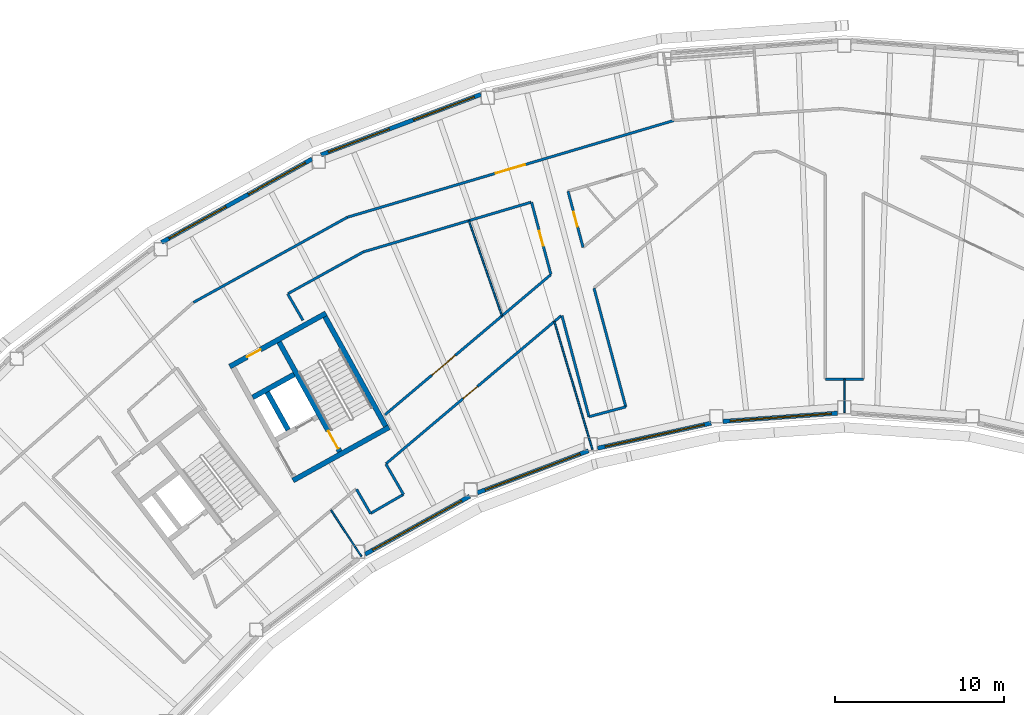
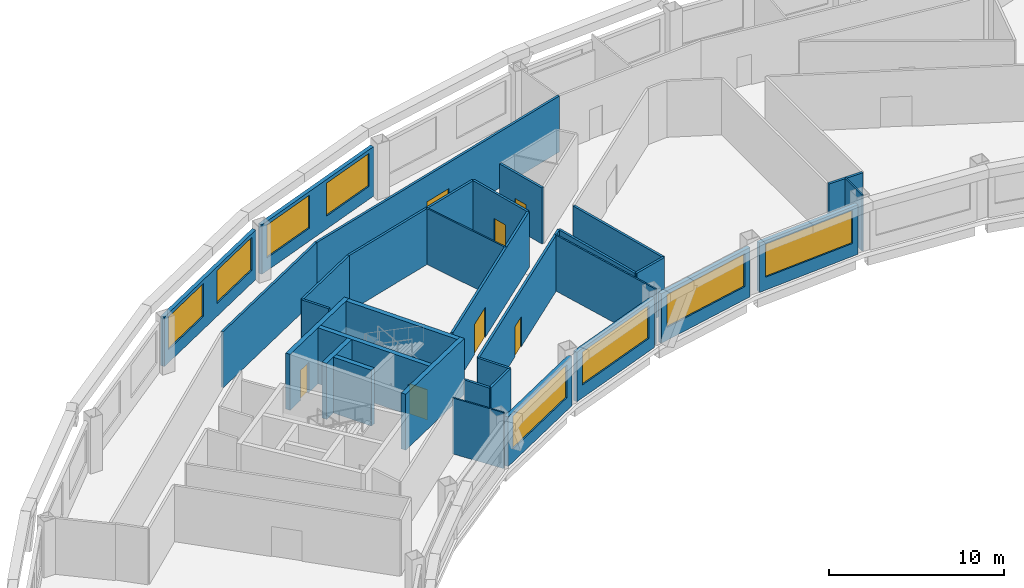
# One storey, part 6 of 13: 32 walls, 8 windows, 7 doors, 15 openings.
"""IFC4 building model written with IfcOpenShell, lengths in metres."""

from ifc_helpers import new_model, si_unit, direction, frame, frame_2d, origin, place, context, subcontext, project, spatial, rectangle, extrude, material, layer, layer_set, type_object, element, fill, save


model = new_model("IFC4")

# Units and contexts
model_context = context("Model", 3, precision=1e-05, world=origin(), true_north=direction((0.0, 1.0)))
body_context = subcontext(model_context, "Body", "Model", "MODEL_VIEW")
ifc_project = project(units=[si_unit("LENGTHUNIT", "METRE"), si_unit("AREAUNIT", "SQUARE_METRE"), si_unit("VOLUMEUNIT", "CUBIC_METRE"), si_unit("PLANEANGLEUNIT", "RADIAN"), si_unit("MASSUNIT", "GRAM", prefix="KILO")], contexts=[model_context])

# Site, building, storey
site_placement = place(None, origin())
site = spatial("IfcSite", under=ifc_project, at=site_placement, CompositionType="ELEMENT")
building_placement = place(site_placement, origin())
building = spatial("IfcBuilding", under=site, at=building_placement, Name="Tuul Gate Civic Tower", CompositionType="ELEMENT")
storey_placement = place(building_placement, frame((0.0, 0.0, 340.699951171875)))
storey = spatial("IfcBuildingStorey", under=building, at=storey_placement, Name="Level 77", CompositionType="ELEMENT", Elevation=340.699951171875)

# Walls
ifc_material_1 = material(Name="Concrete C50/60", Category="concrete")
ifc_layer_1 = layer(ifc_material_1, 0.300048828125)
ifc_layer_set_1 = layer_set([ifc_layer_1], Name="Concrete C50/60")
wall_type_1 = type_object("IfcWallType", Name="Core wall C50/60", PredefinedType="SHEAR", material=ifc_layer_set_1)
wall_1_placement = place(storey_placement, frame((-24.711669921875, -8.7158203125, 0.0), z_axis=(0.0, 0.0, 1.0), x_axis=(-0.874629909008, -0.484791215132, 0.0)))
element("IfcWall", 1, at=wall_1_placement, inside=storey, type_object=wall_type_1, Name="Core wall", PredefinedType="SHEAR", context=body_context, shape_type="SweptSolid", body=[
    extrude(rectangle(XDim=6.5, YDim=0.300048828125, at=frame_2d((3.25, 0.0))), origin(), (0.0, 0.0, 1.0), 3.900146484375),
])
wall_2_placement = place(storey_placement, frame((-30.327392578125, -5.59716796875, 0.0), z_axis=(0.0, 0.0, 1.0), x_axis=(-0.874629840737, -0.484791338301, 0.0)))
element("IfcWall", 2, at=wall_2_placement, inside=storey, type_object=wall_type_1, Name="Core wall", PredefinedType="SHEAR", context=body_context, shape_type="SweptSolid", body=[
    extrude(rectangle(XDim=2.800048828125, YDim=0.300048828125, at=frame_2d((1.39990234375, 0.0))), origin(), (0.0, 0.0, 1.0), 3.900146484375),
])

# Wall, opening, door
wall_3_placement = place(storey_placement, frame((-28.4443359375, -1.98095703125, 0.0), z_axis=(0.0, 0.0, 1.0), x_axis=(-0.874629909008, -0.484791215132, 0.0)))
wall_3 = element("IfcWall", 3, at=wall_3_placement, inside=storey, type_object=wall_type_1, Name="Core wall", PredefinedType="SHEAR", context=body_context, shape_type="SweptSolid", body=[
    extrude(rectangle(XDim=6.5, YDim=0.300048828125, at=frame_2d((3.25, 0.0))), origin(), (0.0, 0.0, 1.0), 3.900146484375),
])
opening_1_placement = place(wall_3_placement, frame((4.425048828125, 0.0, 0.0)))
opening_1 = element("IfcOpeningElement", 4, at=opening_1_placement, cuts=wall_3, Name="Opening AC-D19", PredefinedType="OPENING", context=body_context, shape_type="SweptSolid", body=[
    extrude(rectangle(XDim=0.89990234375, YDim=2.10009765625, at=frame_2d((0.449951171875, 1.050048828125))), frame((0.0, 0.16015625, 0.0), z_axis=(0.0, -1.0, 0.0), x_axis=(1.0, 0.0, 0.0)), (0.0, 0.0, 1.0), 0.320068359375),
])
ifc_material_2 = material(Name="Timber door leaf", Category="wood")
door_type_1 = type_object("IfcDoorType", Name="Door D09", OperationType="NOTDEFINED", PredefinedType="DOOR", material=ifc_material_2)
door_1_placement = place(opening_1_placement, origin())
door_1 = element("IfcDoor", 5, at=door_1_placement, inside=storey, type_object=door_type_1, Name="Door AC-D19", OperationType="SINGLE_SWING_LEFT", OverallHeight=2.10009765625, OverallWidth=0.89990234375, PredefinedType="DOOR", context=body_context, shape_type="SweptSolid", body=[
    extrude(rectangle(XDim=0.89990234375, YDim=2.10009765625, at=frame_2d((0.449951171875, 1.050048828125))), frame((0.0, 0.02490234375, 0.0), z_axis=(0.0, -1.0, 0.0), x_axis=(1.0, 0.0, 0.0)), (0.0, 0.0, 1.0), 0.050048828125),
])
fill(opening_1, door_1)

# Wall
wall_4_placement = place(storey_placement, frame((-24.91552734375, -8.6572265625, 0.0), z_axis=(0.0, 0.0, 1.0), x_axis=(-0.484777133038, 0.874637714304, 0.0)))
element("IfcWall", 6, at=wall_4_placement, inside=storey, type_object=wall_type_1, Name="Core wall", PredefinedType="SHEAR", context=body_context, shape_type="SweptSolid", body=[
    extrude(rectangle(XDim=7.400146484375, YDim=0.300048828125, at=frame_2d((3.7001953125, 0.0))), origin(), (0.0, 0.0, 1.0), 3.900146484375),
])

# Wall, opening, door
wall_5_placement = place(storey_placement, frame((-27.626953125, -10.16015625, 0.0), z_axis=(0.0, 0.0, 1.0), x_axis=(-0.484751894226, 0.874651702704, 0.0)))
wall_5 = element("IfcWall", 7, at=wall_5_placement, inside=storey, type_object=wall_type_1, Name="Core wall", PredefinedType="SHEAR", context=body_context, shape_type="SweptSolid", body=[
    extrude(rectangle(XDim=7.39990234375, YDim=0.300048828125, at=frame_2d((3.699951171875, 0.0))), origin(), (0.0, 0.0, 1.0), 3.900146484375),
])
opening_2_placement = place(wall_5_placement, frame((0.199951171875, 0.0, 0.0)))
opening_2 = element("IfcOpeningElement", 8, at=opening_2_placement, cuts=wall_5, Name="Opening SD-ST-2", PredefinedType="OPENING", context=body_context, shape_type="SweptSolid", body=[
    extrude(rectangle(XDim=1.199951171875, YDim=2.10009765625, at=frame_2d((0.60009765625, 1.050048828125))), frame((0.0, 0.16015625, 0.0), z_axis=(0.0, -1.0, 0.0), x_axis=(1.0, 0.0, 0.0)), (0.0, 0.0, 1.0), 0.320068359375),
])
ifc_material_3 = material(Name="Steel", Category="steel")
door_type_2 = type_object("IfcDoorType", Name="Stair door", OperationType="NOTDEFINED", PredefinedType="DOOR", material=ifc_material_3)
door_2_placement = place(opening_2_placement, origin())
door_2 = element("IfcDoor", 9, at=door_2_placement, inside=storey, type_object=door_type_2, Name="Stair door ST-2", OperationType="SINGLE_SWING_LEFT", OverallHeight=2.10009765625, OverallWidth=1.199951171875, PredefinedType="DOOR", context=body_context, shape_type="SweptSolid", body=[
    extrude(rectangle(XDim=1.199951171875, YDim=2.10009765625, at=frame_2d((0.60009765625, 1.050048828125))), frame((0.0, 0.02490234375, 0.0), z_axis=(0.0, -1.0, 0.0), x_axis=(1.0, 0.0, 0.0)), (0.0, 0.0, 1.0), 0.050048828125),
])
fill(opening_2, door_2)

# Wall
wall_6_placement = place(storey_placement, frame((-30.680419921875, -8.8798828125, 0.0), z_axis=(0.0, 0.0, 1.0), x_axis=(-0.484724115216, 0.874667097888, 0.0)))
element("IfcWall", 10, at=wall_6_placement, inside=storey, type_object=wall_type_1, Name="Core wall", PredefinedType="SHEAR", context=body_context, shape_type="SweptSolid", body=[
    extrude(rectangle(XDim=2.550048828125, YDim=0.300048828125, at=frame_2d((1.27490234375, 0.0))), origin(), (0.0, 0.0, 1.0), 3.900146484375),
])

# Wall, opening, door
ifc_material_4 = material(Name="Gypsum board partition")
ifc_layer_2 = layer(ifc_material_4, 0.14990234375)
ifc_layer_set_2 = layer_set([ifc_layer_2], Name="Gypsum board partition")
wall_type_2 = type_object("IfcWallType", Name="Corridor wall P150", PredefinedType="PARTITIONING", material=ifc_layer_set_2)
wall_7_placement = place(storey_placement, frame((-27.177978515625, 3.693603515625, 0.0), z_axis=(0.0, 0.0, 1.0), x_axis=(0.958781227453, 0.284145311213, 0.0)))
wall_7 = element("IfcWall", 11, at=wall_7_placement, inside=storey, type_object=wall_type_2, Name="p018", PredefinedType="PARTITIONING", context=body_context, shape_type="SweptSolid", body=[
    extrude(rectangle(XDim=20.13134765625, YDim=0.14990234375, at=frame_2d((10.065673828125, 0.0))), origin(), (0.0, 0.0, 1.0), 3.900146484375),
])
opening_3_placement = place(wall_7_placement, frame((9.140380859375, 0.0, 0.0)))
opening_3 = element("IfcOpeningElement", 12, at=opening_3_placement, cuts=wall_7, Name="Opening AC-D04", PredefinedType="OPENING", context=body_context, shape_type="SweptSolid", body=[
    extrude(rectangle(XDim=1.800048828125, YDim=2.10009765625, at=frame_2d((0.89990234375, 1.050048828125))), frame((0.0, 0.0849609375, 0.0), z_axis=(0.0, -1.0, 0.0), x_axis=(1.0, 0.0, 0.0)), (0.0, 0.0, 1.0), 0.169921875),
])
ifc_material_5 = material(Name="Timber door leaf, double", Category="wood")
door_type_3 = type_object("IfcDoorType", Name="Door D18", OperationType="DOUBLE_DOOR_SINGLE_SWING", PredefinedType="DOOR", material=ifc_material_5)
door_3_placement = place(opening_3_placement, origin())
door_3 = element("IfcDoor", 13, at=door_3_placement, inside=storey, type_object=door_type_3, Name="Door AC-D04", OperationType="DOUBLE_DOOR_SINGLE_SWING", OverallHeight=2.10009765625, OverallWidth=1.800048828125, PredefinedType="DOOR", context=body_context, shape_type="SweptSolid", body=[
    extrude(rectangle(XDim=1.800048828125, YDim=2.10009765625, at=frame_2d((0.89990234375, 1.050048828125))), frame((0.0, 0.02490234375, 0.0), z_axis=(0.0, -1.0, 0.0), x_axis=(1.0, 0.0, 0.0)), (0.0, 0.0, 1.0), 0.050048828125),
])
fill(opening_3, door_3)

# Walls
wall_8_placement = place(storey_placement, frame((-36.275146484375, -1.340576171875, 0.0), z_axis=(0.0, 0.0, 1.0), x_axis=(0.874962498596, 0.484190691826, 0.0)))
element("IfcWall", 14, at=wall_8_placement, inside=storey, type_object=wall_type_2, Name="p021", PredefinedType="PARTITIONING", context=body_context, shape_type="SweptSolid", body=[
    extrude(rectangle(XDim=10.39599609375, YDim=0.14990234375, at=frame_2d((5.197998046875, 0.0))), origin(), (0.0, 0.0, 1.0), 3.900146484375),
])
for number, where, z_axis, x_axis, name in (
    (15, (1.06689453125, -5.873779296875, 0.0), (0.0, 0.0, 1.0), (1.0, 0.0, 0.0), "p044"),
    (16, (-12.8994140625, -8.095703125, 0.0), (0.0, 0.0, 1.0), (0.965933522054, 0.25879032241, 0.0), "p046"),
):
    element("IfcWall", number, at=place(storey_placement, frame(where, z_axis=z_axis, x_axis=x_axis)), inside=storey, type_object=wall_type_2, Name=name, PredefinedType="PARTITIONING", context=body_context, shape_type="SweptSolid", body=[
        extrude(rectangle(XDim=2.25, YDim=0.14990234375, at=frame_2d((1.125, 0.0))), origin(), (0.0, 0.0, 1.0), 3.900146484375),
    ])

# Wall, opening, door
wall_9_placement = place(storey_placement, frame((-14.14013671875, 5.228515625, 0.0), z_axis=(0.0, 0.0, 1.0), x_axis=(0.258803572303, -0.96592997208, 0.0)))
wall_9 = element("IfcWall", 17, at=wall_9_placement, inside=storey, type_object=wall_type_2, Name="p047", PredefinedType="PARTITIONING", context=body_context, shape_type="SweptSolid", body=[
    extrude(rectangle(XDim=3.435546875, YDim=0.14990234375, at=frame_2d((1.7177734375, 0.0))), origin(), (0.0, 0.0, 1.0), 3.900146484375),
])
opening_4_placement = place(wall_9_placement, frame((1.267822265625, 0.0, 0.0)))
opening_4 = element("IfcOpeningElement", 18, at=opening_4_placement, cuts=wall_9, Name="Opening AC-D17", PredefinedType="OPENING", context=body_context, shape_type="SweptSolid", body=[
    extrude(rectangle(XDim=0.89990234375, YDim=2.10009765625, at=frame_2d((0.449951171875, 1.050048828125))), frame((0.0, 0.0849609375, 0.0), z_axis=(0.0, -1.0, 0.0), x_axis=(1.0, 0.0, 0.0)), (0.0, 0.0, 1.0), 0.169921875),
])
door_4_placement = place(opening_4_placement, frame((0.89990234375, 0.0, 0.0), z_axis=(0.0, 0.0, 1.0), x_axis=(-1.0, 0.0, 0.0)))
door_4 = element("IfcDoor", 19, at=door_4_placement, inside=storey, type_object=door_type_1, Name="Door AC-D17", OperationType="SINGLE_SWING_LEFT", OverallHeight=2.10009765625, OverallWidth=0.89990234375, PredefinedType="DOOR", context=body_context, shape_type="SweptSolid", body=[
    extrude(rectangle(XDim=0.89990234375, YDim=2.10009765625, at=frame_2d((0.449951171875, 1.050048828125))), frame((0.0, 0.02490234375, 0.0), z_axis=(0.0, -1.0, 0.0), x_axis=(1.0, 0.0, 0.0)), (0.0, 0.0, 1.0), 0.050048828125),
])
fill(opening_4, door_4)

# Wall
wall_10_placement = place(storey_placement, frame((-12.60400390625, -0.504150390625, 0.0), z_axis=(0.0, 0.0, 1.0), x_axis=(0.258793263352, -0.965932734119, 0.0)))
element("IfcWall", 20, at=wall_10_placement, inside=storey, type_object=wall_type_2, Name="p048", PredefinedType="PARTITIONING", context=body_context, shape_type="SweptSolid", body=[
    extrude(rectangle(XDim=7.256591796875, YDim=0.14990234375, at=frame_2d((3.62841796875, 0.0))), origin(), (0.0, 0.0, 1.0), 3.900146484375),
])

# Wall, opening, door
wall_11_placement = place(storey_placement, frame((-24.89501953125, -10.871826171875, 0.0), z_axis=(0.0, 0.0, 1.0), x_axis=(0.763910250036, 0.645322500684, 0.0)))
wall_11 = element("IfcWall", 21, at=wall_11_placement, inside=storey, type_object=wall_type_2, Name="p050", PredefinedType="PARTITIONING", context=body_context, shape_type="SweptSolid", body=[
    extrude(rectangle(XDim=13.567138671875, YDim=0.14990234375, at=frame_2d((6.78369140625, 0.0))), origin(), (0.0, 0.0, 1.0), 3.900146484375),
])
opening_5_placement = place(wall_11_placement, frame((5.960205078125, 0.0, 0.0)))
opening_5 = element("IfcOpeningElement", 22, at=opening_5_placement, cuts=wall_11, Name="Opening AC-D09", PredefinedType="OPENING", context=body_context, shape_type="SweptSolid", body=[
    extrude(rectangle(XDim=1.10009765625, YDim=2.10009765625, at=frame_2d((0.550048828125, 1.050048828125))), frame((0.0, 0.0849609375, 0.0), z_axis=(0.0, -1.0, 0.0), x_axis=(1.0, 0.0, 0.0)), (0.0, 0.0, 1.0), 0.169921875),
])
ifc_material_6 = material(Name="Timber door leaf", Category="wood")
door_type_4 = type_object("IfcDoorType", Name="Door D11", OperationType="NOTDEFINED", PredefinedType="DOOR", material=ifc_material_6)
door_5_placement = place(opening_5_placement, frame((1.10009765625, 0.0, 0.0), z_axis=(0.0, 0.0, 1.0), x_axis=(-1.0, 0.0, 0.0)))
door_5 = element("IfcDoor", 23, at=door_5_placement, inside=storey, type_object=door_type_4, Name="Door AC-D09", OperationType="SINGLE_SWING_LEFT", OverallHeight=2.10009765625, OverallWidth=1.10009765625, PredefinedType="DOOR", context=body_context, shape_type="SweptSolid", body=[
    extrude(rectangle(XDim=1.10009765625, YDim=2.10009765625, at=frame_2d((0.550048828125, 1.050048828125))), frame((0.0, 0.02490234375, 0.0), z_axis=(0.0, -1.0, 0.0), x_axis=(1.0, 0.0, 0.0)), (0.0, 0.0, 1.0), 0.050048828125),
])
fill(opening_5, door_5)

wall_12_placement = place(storey_placement, frame((-16.29296875, 4.569091796875, 0.0), z_axis=(0.0, 0.0, 1.0), x_axis=(0.258801699192, -0.965930473945, 0.0)))
wall_12 = element("IfcWall", 24, at=wall_12_placement, inside=storey, type_object=wall_type_2, Name="p054", PredefinedType="PARTITIONING", context=body_context, shape_type="SweptSolid", body=[
    extrude(rectangle(XDim=4.401611328125, YDim=0.14990234375, at=frame_2d((2.20068359375, 0.0))), origin(), (0.0, 0.0, 1.0), 3.900146484375),
])
opening_6_placement = place(wall_12_placement, frame((1.750732421875, 0.0, 0.0)))
opening_6 = element("IfcOpeningElement", 25, at=opening_6_placement, cuts=wall_12, Name="Opening AC-D15", PredefinedType="OPENING", context=body_context, shape_type="SweptSolid", body=[
    extrude(rectangle(XDim=0.89990234375, YDim=2.10009765625, at=frame_2d((0.449951171875, 1.050048828125))), frame((0.0, 0.0849609375, 0.0), z_axis=(0.0, -1.0, 0.0), x_axis=(1.0, 0.0, 0.0)), (0.0, 0.0, 1.0), 0.169921875),
])
door_6_placement = place(opening_6_placement, frame((0.89990234375, 0.0, 0.0), z_axis=(0.0, 0.0, 1.0), x_axis=(-1.0, 0.0, 0.0)))
door_6 = element("IfcDoor", 26, at=door_6_placement, inside=storey, type_object=door_type_1, Name="Door AC-D15", OperationType="SINGLE_SWING_LEFT", OverallHeight=2.10009765625, OverallWidth=0.89990234375, PredefinedType="DOOR", context=body_context, shape_type="SweptSolid", body=[
    extrude(rectangle(XDim=0.89990234375, YDim=2.10009765625, at=frame_2d((0.449951171875, 1.050048828125))), frame((0.0, 0.02490234375, 0.0), z_axis=(0.0, -1.0, 0.0), x_axis=(1.0, 0.0, 0.0)), (0.0, 0.0, 1.0), 0.050048828125),
])
fill(opening_6, door_6)

# Walls
wall_13_placement = place(storey_placement, frame((-14.498779296875, -2.126953125, 0.0), z_axis=(0.0, 0.0, 1.0), x_axis=(0.258825611946, -0.965924066685, 0.0)))
element("IfcWall", 27, at=wall_13_placement, inside=storey, type_object=wall_type_2, Name="p055", PredefinedType="PARTITIONING", context=body_context, shape_type="SweptSolid", body=[
    extrude(rectangle(XDim=6.17919921875, YDim=0.14990234375, at=frame_2d((3.089599609375, 0.0))), origin(), (0.0, 0.0, 1.0), 3.900146484375),
])
wall_14_placement = place(storey_placement, frame((-26.641845703125, -12.37890625, 0.0), z_axis=(0.0, 0.0, 1.0), x_axis=(0.49997779057, -0.866038226025, 0.0)))
element("IfcWall", 28, at=wall_14_placement, inside=storey, type_object=wall_type_2, Name="p057", PredefinedType="PARTITIONING", context=body_context, shape_type="SweptSolid", body=[
    extrude(rectangle(XDim=1.6552734375, YDim=0.14990234375, at=frame_2d((0.82763671875, 0.0))), origin(), (0.0, 0.0, 1.0), 3.900146484375),
])
wall_15_placement = place(storey_placement, frame((-25.813720703125, -13.8125, 0.0), z_axis=(0.0, 0.0, 1.0), x_axis=(0.866030125237, 0.499991822116, 0.0)))
element("IfcWall", 29, at=wall_15_placement, inside=storey, type_object=wall_type_2, Name="p058", PredefinedType="PARTITIONING", context=body_context, shape_type="SweptSolid", body=[
    extrude(rectangle(XDim=2.2490234375, YDim=0.14990234375, at=frame_2d((1.12451171875, 0.0))), origin(), (0.0, 0.0, 1.0), 3.900146484375),
])
wall_16_placement = place(storey_placement, frame((-30.699951171875, -0.85009765625, 0.0), z_axis=(0.0, 0.0, 1.0), x_axis=(0.500026652407, -0.866010015463, 0.0)))
element("IfcWall", 30, at=wall_16_placement, inside=storey, type_object=wall_type_2, Name="p059", PredefinedType="PARTITIONING", context=body_context, shape_type="SweptSolid", body=[
    extrude(rectangle(XDim=1.783203125, YDim=0.14990234375, at=frame_2d((0.8916015625, 0.0))), origin(), (0.0, 0.0, 1.0), 3.900146484375),
])
wall_17_placement = place(storey_placement, frame((-24.899169921875, -10.8974609375, 0.0), z_axis=(0.0, 0.0, 1.0), x_axis=(0.499988291006, -0.866032163869, 0.0)))
element("IfcWall", 31, at=wall_17_placement, inside=storey, type_object=wall_type_2, Name="p060", PredefinedType="PARTITIONING", context=body_context, shape_type="SweptSolid", body=[
    extrude(rectangle(XDim=2.06689453125, YDim=0.14990234375, at=frame_2d((1.033447265625, 0.0))), origin(), (0.0, 0.0, 1.0), 3.900146484375),
])
wall_18_placement = place(storey_placement, frame((-26.236572265625, 1.643310546875, 0.0), z_axis=(0.0, 0.0, 1.0), x_axis=(0.958776444815, 0.284161448594, 0.0)))
element("IfcWall", 32, at=wall_18_placement, inside=storey, type_object=wall_type_2, Name="p069", PredefinedType="PARTITIONING", context=body_context, shape_type="SweptSolid", body=[
    extrude(rectangle(XDim=10.34521484375, YDim=0.14990234375, at=frame_2d((5.172607421875, 0.0))), origin(), (0.0, 0.0, 1.0), 3.900146484375),
])

# Wall, opening, door
wall_19_placement = place(storey_placement, frame((-24.951416015625, -7.974365234375, 0.0), z_axis=(0.0, 0.0, 1.0), x_axis=(0.763902624366, 0.645331527578, 0.0)))
wall_19 = element("IfcWall", 33, at=wall_19_placement, inside=storey, type_object=wall_type_2, Name="p072", PredefinedType="PARTITIONING", context=body_context, shape_type="SweptSolid", body=[
    extrude(rectangle(XDim=12.8173828125, YDim=0.14990234375, at=frame_2d((6.40869140625, 0.0))), origin(), (0.0, 0.0, 1.0), 3.900146484375),
])
opening_7_placement = place(wall_19_placement, frame((3.623779296875, 0.0, 0.0)))
opening_7 = element("IfcOpeningElement", 34, at=opening_7_placement, cuts=wall_19, Name="Opening AC-D16", PredefinedType="OPENING", context=body_context, shape_type="SweptSolid", body=[
    extrude(rectangle(XDim=1.800048828125, YDim=2.10009765625, at=frame_2d((0.89990234375, 1.050048828125))), frame((0.0, 0.0849609375, 0.0), z_axis=(0.0, -1.0, 0.0), x_axis=(1.0, 0.0, 0.0)), (0.0, 0.0, 1.0), 0.169921875),
])
door_7_placement = place(opening_7_placement, origin())
door_7 = element("IfcDoor", 35, at=door_7_placement, inside=storey, type_object=door_type_3, Name="Door AC-D16", OperationType="DOUBLE_DOOR_SINGLE_SWING", OverallHeight=2.10009765625, OverallWidth=1.800048828125, PredefinedType="DOOR", context=body_context, shape_type="SweptSolid", body=[
    extrude(rectangle(XDim=1.800048828125, YDim=2.10009765625, at=frame_2d((0.89990234375, 1.050048828125))), frame((0.0, 0.02490234375, 0.0), z_axis=(0.0, -1.0, 0.0), x_axis=(1.0, 0.0, 0.0)), (0.0, 0.0, 1.0), 0.050048828125),
])
fill(opening_7, door_7)

# Wall
wall_20_placement = place(storey_placement, frame((-30.6923828125, -0.822509765625, 0.0), z_axis=(0.0, 0.0, 1.0), x_axis=(0.874979165869, 0.48416057181, 0.0)))
element("IfcWall", 36, at=wall_20_placement, inside=storey, type_object=wall_type_2, Name="p089", PredefinedType="PARTITIONING", context=body_context, shape_type="SweptSolid", body=[
    extrude(rectangle(XDim=5.092529296875, YDim=0.14990234375, at=frame_2d((2.54638671875, 0.0))), origin(), (0.0, 0.0, 1.0), 3.900146484375),
])

# Wall, openings, windows
ifc_material_7 = material(Name="Precast concrete C40/50", Category="concrete")
ifc_layer_3 = layer(ifc_material_7, 0.25)
ifc_layer_set_3 = layer_set([ifc_layer_3], Name="Precast concrete C40/50")
wall_type_3 = type_object("IfcWallType", Name="External wall", PredefinedType="STANDARD", material=ifc_layer_set_3)
wall_21_placement = place(storey_placement, frame((-19.284912109375, 10.95458984375, 0.0), z_axis=(0.0, 0.0, 1.0), x_axis=(-0.93534700963, -0.353731496444, 0.0)))
wall_21 = element("IfcWall", 37, at=wall_21_placement, inside=storey, type_object=wall_type_3, Name="External wall", PredefinedType="STANDARD", context=body_context, shape_type="SweptSolid", body=[
    extrude(rectangle(XDim=10.099609375, YDim=0.25, at=frame_2d((5.0498046875, 0.0))), origin(), (0.0, 0.0, 1.0), 3.449951171875),
])
opening_8_placement = place(wall_21_placement, frame((0.422607421875, 0.0, 0.89990234375)))
opening_8 = element("IfcOpeningElement", 38, at=opening_8_placement, cuts=wall_21, Name="Opening W22", PredefinedType="OPENING", context=body_context, shape_type="SweptSolid", body=[
    extrude(rectangle(XDim=3.85009765625, YDim=2.300048828125, at=frame_2d((1.925048828125, 1.14990234375))), frame((0.0, 0.135009765625, 0.0), z_axis=(0.0, -1.0, 0.0), x_axis=(1.0, 0.0, 0.0)), (0.0, 0.0, 1.0), 0.27001953125),
])
opening_9_placement = place(wall_21_placement, frame((5.7939453125, 0.0, 0.89990234375)))
opening_9 = element("IfcOpeningElement", 39, at=opening_9_placement, cuts=wall_21, Name="Opening W22", PredefinedType="OPENING", context=body_context, shape_type="SweptSolid", body=[
    extrude(rectangle(XDim=3.85009765625, YDim=2.300048828125, at=frame_2d((1.925048828125, 1.14990234375))), frame((0.0, 0.135009765625, 0.0), z_axis=(0.0, -1.0, 0.0), x_axis=(1.0, 0.0, 0.0)), (0.0, 0.0, 1.0), 0.27001953125),
])
ifc_material_8 = material(Name="Glass", Category="glass")
window_type_1 = type_object("IfcWindowType", Name="Window W22 3850 x 2300", PartitioningType="SINGLE_PANEL", PredefinedType="WINDOW", material=ifc_material_8)
window_1_placement = place(opening_8_placement, origin())
window_1 = element("IfcWindow", 40, at=window_1_placement, inside=storey, type_object=window_type_1, Name="Window", OverallHeight=2.300048828125, OverallWidth=3.85009765625, PartitioningType="SINGLE_PANEL", PredefinedType="WINDOW", context=body_context, shape_type="SweptSolid", body=[
    extrude(rectangle(XDim=3.85009765625, YDim=2.300048828125, at=frame_2d((1.925048828125, 1.14990234375))), frame((0.0, 0.030029296875, 0.0), z_axis=(0.0, -1.0, 0.0), x_axis=(1.0, 0.0, 0.0)), (0.0, 0.0, 1.0), 0.06005859375),
])
fill(opening_8, window_1)
window_2_placement = place(opening_9_placement, origin())
window_2 = element("IfcWindow", 41, at=window_2_placement, inside=storey, type_object=window_type_1, Name="Window", OverallHeight=2.300048828125, OverallWidth=3.85009765625, PartitioningType="SINGLE_PANEL", PredefinedType="WINDOW", context=body_context, shape_type="SweptSolid", body=[
    extrude(rectangle(XDim=3.85009765625, YDim=2.300048828125, at=frame_2d((1.925048828125, 1.14990234375))), frame((0.0, 0.030029296875, 0.0), z_axis=(0.0, -1.0, 0.0), x_axis=(1.0, 0.0, 0.0)), (0.0, 0.0, 1.0), 0.06005859375),
])
fill(opening_9, window_2)

wall_22_placement = place(storey_placement, frame((-29.27197265625, 7.131103515625, 0.0), z_axis=(0.0, 0.0, 1.0), x_axis=(-0.87463511472, -0.484781823193, 0.0)))
wall_22 = element("IfcWall", 42, at=wall_22_placement, inside=storey, type_object=wall_type_3, Name="External wall", PredefinedType="STANDARD", context=body_context, shape_type="SweptSolid", body=[
    extrude(rectangle(XDim=10.161376953125, YDim=0.25, at=frame_2d((5.08056640625, 0.0))), origin(), (0.0, 0.0, 1.0), 3.449951171875),
])
opening_10_placement = place(wall_22_placement, frame((0.4501953125, 0.0, 0.89990234375)))
opening_10 = element("IfcOpeningElement", 43, at=opening_10_placement, cuts=wall_22, Name="Opening W22", PredefinedType="OPENING", context=body_context, shape_type="SweptSolid", body=[
    extrude(rectangle(XDim=3.85009765625, YDim=2.300048828125, at=frame_2d((1.925048828125, 1.14990234375))), frame((0.0, 0.135009765625, 0.0), z_axis=(0.0, -1.0, 0.0), x_axis=(1.0, 0.0, 0.0)), (0.0, 0.0, 1.0), 0.27001953125),
])
opening_11_placement = place(wall_22_placement, frame((5.821533203125, 0.0, 0.89990234375)))
opening_11 = element("IfcOpeningElement", 44, at=opening_11_placement, cuts=wall_22, Name="Opening W22", PredefinedType="OPENING", context=body_context, shape_type="SweptSolid", body=[
    extrude(rectangle(XDim=3.85009765625, YDim=2.300048828125, at=frame_2d((1.925048828125, 1.14990234375))), frame((0.0, 0.135009765625, 0.0), z_axis=(0.0, -1.0, 0.0), x_axis=(1.0, 0.0, 0.0)), (0.0, 0.0, 1.0), 0.27001953125),
])
window_3_placement = place(opening_10_placement, origin())
window_3 = element("IfcWindow", 45, at=window_3_placement, inside=storey, type_object=window_type_1, Name="Window", OverallHeight=2.300048828125, OverallWidth=3.85009765625, PartitioningType="SINGLE_PANEL", PredefinedType="WINDOW", context=body_context, shape_type="SweptSolid", body=[
    extrude(rectangle(XDim=3.85009765625, YDim=2.300048828125, at=frame_2d((1.925048828125, 1.14990234375))), frame((0.0, 0.030029296875, 0.0), z_axis=(0.0, -1.0, 0.0), x_axis=(1.0, 0.0, 0.0)), (0.0, 0.0, 1.0), 0.06005859375),
])
fill(opening_10, window_3)
window_4_placement = place(opening_11_placement, origin())
window_4 = element("IfcWindow", 46, at=window_4_placement, inside=storey, type_object=window_type_1, Name="Window", OverallHeight=2.300048828125, OverallWidth=3.85009765625, PartitioningType="SINGLE_PANEL", PredefinedType="WINDOW", context=body_context, shape_type="SweptSolid", body=[
    extrude(rectangle(XDim=3.85009765625, YDim=2.300048828125, at=frame_2d((1.925048828125, 1.14990234375))), frame((0.0, 0.030029296875, 0.0), z_axis=(0.0, -1.0, 0.0), x_axis=(1.0, 0.0, 0.0)), (0.0, 0.0, 1.0), 0.06005859375),
])
fill(opening_11, window_4)

# Wall, opening, window
wall_23_placement = place(storey_placement, frame((-26.135009765625, -16.226318359375, 0.0), z_axis=(0.0, 0.0, 1.0), x_axis=(0.874614232828, 0.484819496034, 0.0)))
wall_23 = element("IfcWall", 47, at=wall_23_placement, inside=storey, type_object=wall_type_3, Name="External wall", PredefinedType="STANDARD", context=body_context, shape_type="SweptSolid", body=[
    extrude(rectangle(XDim=7.07568359375, YDim=0.25, at=frame_2d((3.537841796875, 0.0))), origin(), (0.0, 0.0, 1.0), 3.449951171875),
])
opening_12_placement = place(wall_23_placement, frame((0.51904296875, 0.0, 0.89990234375)))
opening_12 = element("IfcOpeningElement", 48, at=opening_12_placement, cuts=wall_23, Name="Opening W26", PredefinedType="OPENING", context=body_context, shape_type="SweptSolid", body=[
    extrude(rectangle(XDim=6.0, YDim=2.300048828125, at=frame_2d((3.0, 1.14990234375))), frame((0.0, 0.135009765625, 0.0), z_axis=(0.0, -1.0, 0.0), x_axis=(1.0, 0.0, 0.0)), (0.0, 0.0, 1.0), 0.27001953125),
])
ifc_material_9 = material(Name="Glass", Category="glass")
window_type_2 = type_object("IfcWindowType", Name="Window W26 6000 x 2300", PartitioningType="SINGLE_PANEL", PredefinedType="WINDOW", material=ifc_material_9)
window_5_placement = place(opening_12_placement, origin())
window_5 = element("IfcWindow", 49, at=window_5_placement, inside=storey, type_object=window_type_2, Name="Window", OverallHeight=2.300048828125, OverallWidth=6.0, PartitioningType="SINGLE_PANEL", PredefinedType="WINDOW", context=body_context, shape_type="SweptSolid", body=[
    extrude(rectangle(XDim=6.0, YDim=2.300048828125, at=frame_2d((3.0, 1.14990234375))), frame((0.0, 0.030029296875, 0.0), z_axis=(0.0, -1.0, 0.0), x_axis=(1.0, 0.0, 0.0)), (0.0, 0.0, 1.0), 0.06005859375),
])
fill(opening_12, window_5)

wall_24_placement = place(storey_placement, frame((-19.4951171875, -12.592041015625, 0.0), z_axis=(0.0, 0.0, 1.0), x_axis=(0.935367772721, 0.353676589209, 0.0)))
wall_24 = element("IfcWall", 50, at=wall_24_placement, inside=storey, type_object=wall_type_3, Name="External wall", PredefinedType="STANDARD", context=body_context, shape_type="SweptSolid", body=[
    extrude(rectangle(XDim=7.017578125, YDim=0.25, at=frame_2d((3.5087890625, 0.0))), origin(), (0.0, 0.0, 1.0), 3.449951171875),
])
opening_13_placement = place(wall_24_placement, frame((0.491455078125, 0.0, 0.89990234375)))
opening_13 = element("IfcOpeningElement", 51, at=opening_13_placement, cuts=wall_24, Name="Opening W26", PredefinedType="OPENING", context=body_context, shape_type="SweptSolid", body=[
    extrude(rectangle(XDim=6.0, YDim=2.300048828125, at=frame_2d((3.0, 1.14990234375))), frame((0.0, 0.135009765625, 0.0), z_axis=(0.0, -1.0, 0.0), x_axis=(1.0, 0.0, 0.0)), (0.0, 0.0, 1.0), 0.27001953125),
])
window_6_placement = place(opening_13_placement, origin())
window_6 = element("IfcWindow", 52, at=window_6_placement, inside=storey, type_object=window_type_2, Name="Window", OverallHeight=2.300048828125, OverallWidth=6.0, PartitioningType="SINGLE_PANEL", PredefinedType="WINDOW", context=body_context, shape_type="SweptSolid", body=[
    extrude(rectangle(XDim=6.0, YDim=2.300048828125, at=frame_2d((3.0, 1.14990234375))), frame((0.0, 0.030029296875, 0.0), z_axis=(0.0, -1.0, 0.0), x_axis=(1.0, 0.0, 0.0)), (0.0, 0.0, 1.0), 0.06005859375),
])
fill(opening_13, window_6)

wall_25_placement = place(storey_placement, frame((-12.39404296875, -9.955322265625, 0.0), z_axis=(0.0, 0.0, 1.0), x_axis=(0.976561146318, 0.215240162382, 0.0)))
wall_25 = element("IfcWall", 53, at=wall_25_placement, inside=storey, type_object=wall_type_3, Name="External wall", PredefinedType="STANDARD", context=body_context, shape_type="SweptSolid", body=[
    extrude(rectangle(XDim=6.867919921875, YDim=0.25, at=frame_2d((3.43408203125, 0.0))), origin(), (0.0, 0.0, 1.0), 3.449951171875),
])
opening_14_placement = place(wall_25_placement, frame((0.458251953125, 0.0, 0.89990234375)))
opening_14 = element("IfcOpeningElement", 54, at=opening_14_placement, cuts=wall_25, Name="Opening W26", PredefinedType="OPENING", context=body_context, shape_type="SweptSolid", body=[
    extrude(rectangle(XDim=6.0, YDim=2.300048828125, at=frame_2d((3.0, 1.14990234375))), frame((0.0, 0.135009765625, 0.0), z_axis=(0.0, -1.0, 0.0), x_axis=(1.0, 0.0, 0.0)), (0.0, 0.0, 1.0), 0.27001953125),
])
window_7_placement = place(opening_14_placement, origin())
window_7 = element("IfcWindow", 55, at=window_7_placement, inside=storey, type_object=window_type_2, Name="Window", OverallHeight=2.300048828125, OverallWidth=6.0, PartitioningType="SINGLE_PANEL", PredefinedType="WINDOW", context=body_context, shape_type="SweptSolid", body=[
    extrude(rectangle(XDim=6.0, YDim=2.300048828125, at=frame_2d((3.0, 1.14990234375))), frame((0.0, 0.030029296875, 0.0), z_axis=(0.0, -1.0, 0.0), x_axis=(1.0, 0.0, 0.0)), (0.0, 0.0, 1.0), 0.06005859375),
])
fill(opening_14, window_7)

wall_26_placement = place(storey_placement, frame((-4.97998046875, -8.373291015625, 0.0), z_axis=(0.0, 0.0, 1.0), x_axis=(0.997384795983, 0.072274260578, 0.0)))
wall_26 = element("IfcWall", 56, at=wall_26_placement, inside=storey, type_object=wall_type_3, Name="External wall", PredefinedType="STANDARD", context=body_context, shape_type="SweptSolid", body=[
    extrude(rectangle(XDim=6.789794921875, YDim=0.25, at=frame_2d((3.39501953125, 0.0))), origin(), (0.0, 0.0, 1.0), 3.449951171875),
])
opening_15_placement = place(wall_26_placement, frame((0.41845703125, 0.0, 0.89990234375)))
opening_15 = element("IfcOpeningElement", 57, at=opening_15_placement, cuts=wall_26, Name="Opening W26", PredefinedType="OPENING", context=body_context, shape_type="SweptSolid", body=[
    extrude(rectangle(XDim=6.0, YDim=2.300048828125, at=frame_2d((3.0, 1.14990234375))), frame((0.0, 0.135009765625, 0.0), z_axis=(0.0, -1.0, 0.0), x_axis=(1.0, 0.0, 0.0)), (0.0, 0.0, 1.0), 0.27001953125),
])
window_8_placement = place(opening_15_placement, origin())
window_8 = element("IfcWindow", 58, at=window_8_placement, inside=storey, type_object=window_type_2, Name="Window", OverallHeight=2.300048828125, OverallWidth=6.0, PartitioningType="SINGLE_PANEL", PredefinedType="WINDOW", context=body_context, shape_type="SweptSolid", body=[
    extrude(rectangle(XDim=6.0, YDim=2.300048828125, at=frame_2d((3.0, 1.14990234375))), frame((0.0, 0.030029296875, 0.0), z_axis=(0.0, -1.0, 0.0), x_axis=(1.0, 0.0, 0.0)), (0.0, 0.0, 1.0), 0.06005859375),
])
fill(opening_15, window_8)

# Walls
ifc_material_10 = material(Name="Gypsum board partition")
ifc_layer_4 = layer(ifc_material_10, 0.10009765625)
ifc_layer_set_4 = layer_set([ifc_layer_4], Name="Gypsum board partition")
wall_type_4 = type_object("IfcWallType", Name="Partition P100", PredefinedType="PARTITIONING", material=ifc_layer_set_4)
wall_27_placement = place(storey_placement, frame((2.19189453125, -7.858642578125, 0.0), z_axis=(0.0, 0.0, 1.0), x_axis=(0.0, 1.0, 0.0)))
element("IfcWall", 59, at=wall_27_placement, inside=storey, type_object=wall_type_4, Name="p036", PredefinedType="PARTITIONING", context=body_context, shape_type="SweptSolid", body=[
    extrude(rectangle(XDim=1.98486328125, YDim=0.10009765625, at=frame_2d((0.992431640625, 0.0))), origin(), (0.0, 0.0, 1.0), 3.900146484375),
])
wall_28_placement = place(storey_placement, frame((-14.948486328125, -2.469482421875, 0.0), z_axis=(0.0, 0.0, 1.0), x_axis=(0.285233957057, -0.958457922781, 0.0)))
element("IfcWall", 60, at=wall_28_placement, inside=storey, type_object=wall_type_4, Name="p045", PredefinedType="PARTITIONING", context=body_context, shape_type="SweptSolid", body=[
    extrude(rectangle(XDim=7.8857421875, YDim=0.10009765625, at=frame_2d((3.94287109375, 0.0))), origin(), (0.0, 0.0, 1.0), 3.900146484375),
])
wall_29_placement = place(storey_placement, frame((-28.1416015625, -13.614990234375, 0.0), z_axis=(0.0, 0.0, 1.0), x_axis=(0.54669811296, -0.83732978765, 0.0)))
element("IfcWall", 61, at=wall_29_placement, inside=storey, type_object=wall_type_4, Name="p056", PredefinedType="PARTITIONING", context=body_context, shape_type="SweptSolid", body=[
    extrude(rectangle(XDim=3.270263671875, YDim=0.10009765625, at=frame_2d((1.63525390625, 0.0))), origin(), (0.0, 0.0, 1.0), 3.900146484375),
])
wall_30_placement = place(storey_placement, frame((-20.00439453125, 3.490478515625, 0.0), z_axis=(0.0, 0.0, 1.0), x_axis=(0.329666024397, -0.944097618024, 0.0)))
element("IfcWall", 62, at=wall_30_placement, inside=storey, type_object=wall_type_4, Name="p088", PredefinedType="PARTITIONING", context=body_context, shape_type="SweptSolid", body=[
    extrude(rectangle(XDim=5.95947265625, YDim=0.10009765625, at=frame_2d((2.979736328125, 0.0))), origin(), (0.0, 0.0, 1.0), 3.900146484375),
])

save(model, "model.ifc")
